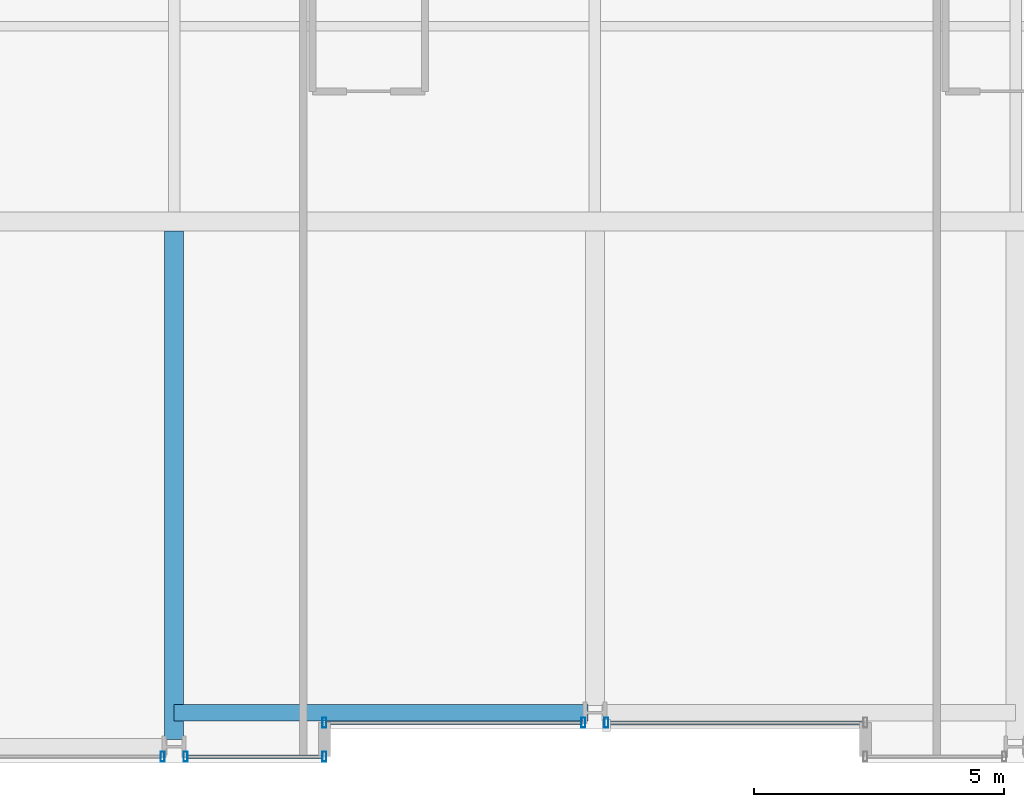
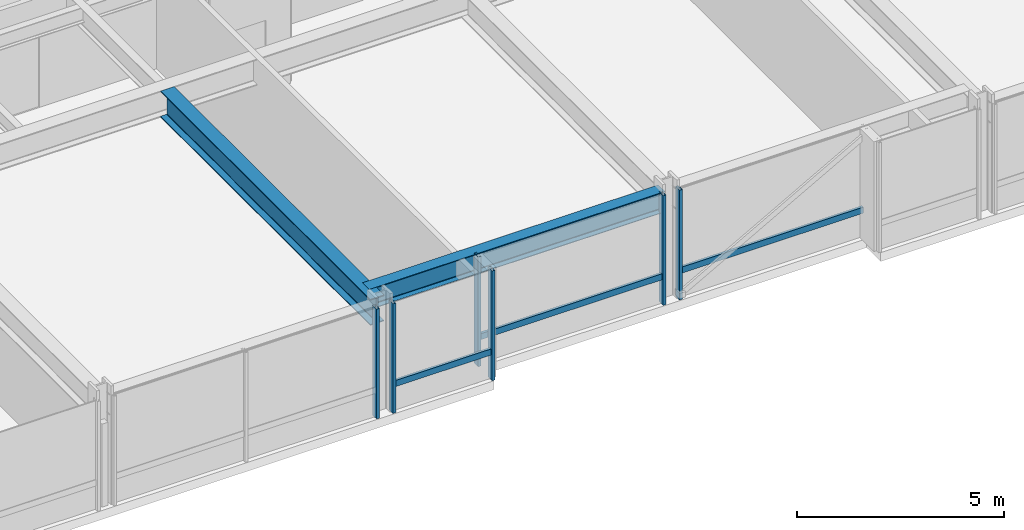
# One storey, part 5 of 38: 9 members, 2 beams, 4 elements without a shape of their own.
"""IFC4 building model written with IfcOpenShell, lengths in metres."""

from ifc_helpers import new_model, si_unit, direction, frame, origin, origin_2d, place, context, subcontext, project, spatial, hollow_rectangle, i_section, extrude, material, layer, layer_set, material_profile, profile_set, type_object, element, aggregate, save


model = new_model("IFC4")

# Units and contexts
model_context = context("Model", 3, precision=1e-05, world=origin(), true_north=direction((0.0, 1.0)))
body_context = subcontext(model_context, "Body", "Model", "MODEL_VIEW")
ifc_project = project(units=[si_unit("LENGTHUNIT", "METRE"), si_unit("AREAUNIT", "SQUARE_METRE"), si_unit("VOLUMEUNIT", "CUBIC_METRE"), si_unit("PLANEANGLEUNIT", "RADIAN"), si_unit("MASSUNIT", "GRAM", prefix="KILO")], contexts=[model_context])

# Site, building, storey
site_placement = place(None, origin())
site = spatial("IfcSite", under=ifc_project, at=site_placement, CompositionType="ELEMENT")
building_placement = place(site_placement, origin())
building = spatial("IfcBuilding", under=site, at=building_placement, Name="Drelvath Grand Hotel", CompositionType="ELEMENT")
storey_placement = place(building_placement, frame((0.0, 0.0, 64.699951171875)))
storey = spatial("IfcBuildingStorey", under=building, at=storey_placement, Name="L15", CompositionType="ELEMENT", Elevation=64.699951171875)

# Curtain wall, member
ifc_material_1 = material(Name="Warm Bronze Anodised Aluminium Frame", Category="aluminium")
ifc_layer = layer(ifc_material_1, 0.199951171875)
ifc_layer_set = layer_set([ifc_layer], Name="Warm Bronze Anodised Aluminium Frame")
curtain_wall_type = type_object("IfcCurtainWallType", Name="Stick Curtain Wall CW-02 Warm Bronze Low-Rise", PredefinedType="NOTDEFINED", material=ifc_layer_set)
curtain_wall_1_placement = place(storey_placement, origin())
curtain_wall_1 = element("IfcCurtainWall", 1, at=curtain_wall_1_placement, inside=storey, type_object=curtain_wall_type, Name="L15 CW-02 Curtain Wall CW02-L15-SM1", PredefinedType="NOTDEFINED")
ifc_material_profile_1 = material_profile(ifc_material_1, hollow_rectangle(XDim=0.074951171875, YDim=0.179931640625, WallThickness=0.0048828125, at=origin_2d()), Name="HSS180X75X5")
ifc_profile_set_1 = profile_set([ifc_material_profile_1], Name="Warm Bronze Anodised Aluminium Frame")
member_type_1 = type_object("IfcMemberType", Name="Curtain Wall Horizontal Transom CW-02 HSS180X75X5", PredefinedType="USERDEFINED", material=ifc_profile_set_1)
member_1_placement = place(storey_placement, frame((-0.26904296875, 0.800048828125, 0.81005859375), z_axis=(-1.0, 0.0, 0.0), x_axis=(0.0, -1.0, 0.0)))
member_1 = element("IfcMember", 2, at=member_1_placement, type_object=member_type_1, Name="CW02-L15-SM1 Sill Transom", ObjectType="TRANSOM", PredefinedType="USERDEFINED", context=body_context, shape_type="SweptSolid", body=[
    extrude(hollow_rectangle(XDim=0.074951171875, YDim=0.179931640625, WallThickness=0.0048828125, at=origin_2d()), origin(), (0.0, 0.0, 1.0), 5.091064453125),
])

curtain_wall_2_placement = place(storey_placement, origin())
curtain_wall_2 = element("IfcCurtainWall", 3, at=curtain_wall_2_placement, inside=storey, type_object=curtain_wall_type, Name="L15 CW-02 Curtain Wall CW02-L15-SM2", PredefinedType="NOTDEFINED")
member_2_placement = place(storey_placement, frame((5.360107421875, 0.800048828125, 0.81005859375), z_axis=(-1.0, 0.0, 0.0), x_axis=(0.0, -1.0, 0.0)))
member_2 = element("IfcMember", 4, at=member_2_placement, type_object=member_type_1, Name="CW02-L15-SM2 Sill Transom", ObjectType="TRANSOM", PredefinedType="USERDEFINED", context=body_context, shape_type="SweptSolid", body=[
    extrude(hollow_rectangle(XDim=0.074951171875, YDim=0.179931640625, WallThickness=0.0048828125, at=origin_2d()), origin(), (0.0, 0.0, 1.0), 5.091064453125),
])

curtain_wall_3_placement = place(storey_placement, origin())
curtain_wall_3 = element("IfcCurtainWall", 5, at=curtain_wall_3_placement, inside=storey, type_object=curtain_wall_type, Name="L15 CW-02 Curtain Wall CW02-L15-SW3", PredefinedType="NOTDEFINED")
member_3_placement = place(storey_placement, frame((-5.43994140625, 0.1201171875, 0.81005859375), z_axis=(-1.0, 0.0, 0.0), x_axis=(0.0, -1.0, 0.0)))
member_3 = element("IfcMember", 6, at=member_3_placement, type_object=member_type_1, Name="CW02-L15-SW3 Sill Transom", ObjectType="TRANSOM", PredefinedType="USERDEFINED", context=body_context, shape_type="SweptSolid", body=[
    extrude(hollow_rectangle(XDim=0.074951171875, YDim=0.179931640625, WallThickness=0.0048828125, at=origin_2d()), origin(), (0.0, 0.0, 1.0), 2.69091796875),
])

# Member
ifc_material_profile_2 = material_profile(ifc_material_1, hollow_rectangle(XDim=0.080078125, YDim=0.199951171875, WallThickness=0.0048828125, at=origin_2d()), Name="HSS200X80X5")
ifc_profile_set_2 = profile_set([ifc_material_profile_2], Name="Warm Bronze Anodised Aluminium Frame")
member_type_2 = type_object("IfcMemberType", Name="Curtain Wall Vertical Mullion CW-02 HSS200X80X5", PredefinedType="MULLION", material=ifc_profile_set_2)
member_4_placement = place(storey_placement, frame((-0.22900390625, 0.800048828125, 0.0), z_axis=(0.0, 0.0, 1.0), x_axis=(1.0, 0.0, 0.0)))
member_4 = element("IfcMember", 7, at=member_4_placement, type_object=member_type_2, Name="CW02-L15-SM1 Mullion 1", PredefinedType="MULLION", context=body_context, shape_type="SweptSolid", body=[
    extrude(hollow_rectangle(XDim=0.080078125, YDim=0.199951171875, WallThickness=0.0048828125, at=origin_2d()), origin(), (0.0, 0.0, 1.0), 3.239990234375),
])

member_5_placement = place(storey_placement, frame((-5.39990234375, 0.800048828125, 0.0), z_axis=(0.0, 0.0, 1.0), x_axis=(1.0, 0.0, 0.0)))
member_5 = element("IfcMember", 8, at=member_5_placement, type_object=member_type_2, Name="CW02-L15-SM1 Mullion 2", PredefinedType="MULLION", context=body_context, shape_type="SweptSolid", body=[
    extrude(hollow_rectangle(XDim=0.080078125, YDim=0.199951171875, WallThickness=0.0048828125, at=origin_2d()), origin(), (0.0, 0.0, 1.0), 3.239990234375),
])

aggregate(curtain_wall_1, [member_4, member_5, member_1])

member_6_placement = place(storey_placement, frame((0.22900390625, 0.800048828125, 0.0), z_axis=(0.0, 0.0, 1.0), x_axis=(1.0, 0.0, 0.0)))
member_6 = element("IfcMember", 9, at=member_6_placement, type_object=member_type_2, Name="CW02-L15-SM2 Mullion 2", PredefinedType="MULLION", context=body_context, shape_type="SweptSolid", body=[
    extrude(hollow_rectangle(XDim=0.080078125, YDim=0.199951171875, WallThickness=0.0048828125, at=origin_2d()), origin(), (0.0, 0.0, 1.0), 3.239990234375),
])

aggregate(curtain_wall_2, [member_6, member_2])

# Curtain wall, member
curtain_wall_4_placement = place(storey_placement, origin())
curtain_wall_4 = element("IfcCurtainWall", 10, at=curtain_wall_4_placement, inside=storey, type_object=curtain_wall_type, Name="L15 CW-02 Curtain Wall CW02-L15-SW2", PredefinedType="NOTDEFINED")
member_7_placement = place(storey_placement, frame((-8.629150390625, 0.1201171875, 0.0), z_axis=(0.0, 0.0, 1.0), x_axis=(1.0, 0.0, 0.0)))
member_7 = element("IfcMember", 11, at=member_7_placement, type_object=member_type_2, Name="CW02-L15-SW2 Mullion 1", PredefinedType="MULLION", context=body_context, shape_type="SweptSolid", body=[
    extrude(hollow_rectangle(XDim=0.080078125, YDim=0.199951171875, WallThickness=0.0048828125, at=origin_2d()), origin(), (0.0, 0.0, 1.0), 3.239990234375),
])
aggregate(curtain_wall_4, [member_7])

# Member
member_8_placement = place(storey_placement, frame((-5.39990234375, 0.1201171875, 0.0), z_axis=(0.0, 0.0, 1.0), x_axis=(1.0, 0.0, 0.0)))
member_8 = element("IfcMember", 12, at=member_8_placement, type_object=member_type_2, Name="CW02-L15-SW3 Mullion 1", PredefinedType="MULLION", context=body_context, shape_type="SweptSolid", body=[
    extrude(hollow_rectangle(XDim=0.080078125, YDim=0.199951171875, WallThickness=0.0048828125, at=origin_2d()), origin(), (0.0, 0.0, 1.0), 3.239990234375),
])

member_9_placement = place(storey_placement, frame((-8.1708984375, 0.1201171875, 0.0), z_axis=(0.0, 0.0, 1.0), x_axis=(1.0, 0.0, 0.0)))
member_9 = element("IfcMember", 13, at=member_9_placement, type_object=member_type_2, Name="CW02-L15-SW3 Mullion 2", PredefinedType="MULLION", context=body_context, shape_type="SweptSolid", body=[
    extrude(hollow_rectangle(XDim=0.080078125, YDim=0.199951171875, WallThickness=0.0048828125, at=origin_2d()), origin(), (0.0, 0.0, 1.0), 3.239990234375),
])

aggregate(curtain_wall_3, [member_8, member_9, member_3])

# Beams
ifc_material_2 = material(Name="Steel ASTM A992 Gr 50", Category="steel")
ifc_material_profile_3 = material_profile(ifc_material_2, i_section(OverallWidth=0.323974609375, OverallDepth=0.611083984375, WebThickness=0.0126953125, FlangeThickness=0.01904296875, FilletRadius=0.02197265625, at=origin_2d()), Name="W24X104")
ifc_profile_set_3 = profile_set([ifc_material_profile_3], Name="Steel ASTM A992 Gr 50")
beam_type_1 = type_object("IfcBeamType", Name="Perimeter Spandrel Beam W24X104", PredefinedType="SPANDREL", material=ifc_profile_set_3)
beam_1_placement = place(storey_placement, frame((-8.39990234375, 1.0, 2.9345703125), z_axis=(1.0, 0.0, 0.0), x_axis=(0.0, 1.0, 0.0)))
element("IfcBeam", 14, at=beam_1_placement, inside=storey, type_object=beam_type_1, Name="L15 Spandrel South Mid W", PredefinedType="SPANDREL", context=body_context, shape_type="SweptSolid", body=[
    extrude(i_section(OverallWidth=0.323974609375, OverallDepth=0.611083984375, WebThickness=0.0126953125, FlangeThickness=0.01904296875, FilletRadius=0.02197265625, at=origin_2d()), origin(), (0.0, 0.0, 1.0), 8.260009765625),
])
ifc_material_profile_4 = material_profile(ifc_material_2, i_section(OverallWidth=0.380615234375, OverallDepth=0.773193359375, WebThickness=0.0166015625, FlangeThickness=0.027099609375, FilletRadius=0.02490234375, at=origin_2d()), Name="W30X173")
ifc_profile_set_4 = profile_set([ifc_material_profile_4], Name="Steel ASTM A992 Gr 50")
beam_type_2 = type_object("IfcBeamType", Name="Primary Floor Girder W30X173", PredefinedType="BEAM", material=ifc_profile_set_4)
beam_2_placement = place(storey_placement, frame((-8.39990234375, 0.4599609375, 2.853515625), z_axis=(0.0, 1.0, 0.0), x_axis=(-1.0, 0.0, 0.0)))
element("IfcBeam", 15, at=beam_2_placement, inside=storey, type_object=beam_type_2, Name="L15 South Wing Girder 4", PredefinedType="BEAM", context=body_context, shape_type="SweptSolid", body=[
    extrude(i_section(OverallWidth=0.380615234375, OverallDepth=0.773193359375, WebThickness=0.0166015625, FlangeThickness=0.027099609375, FilletRadius=0.02490234375, at=origin_2d()), origin(), (0.0, 0.0, 1.0), 10.149658203125),
])

save(model, "model.ifc")
